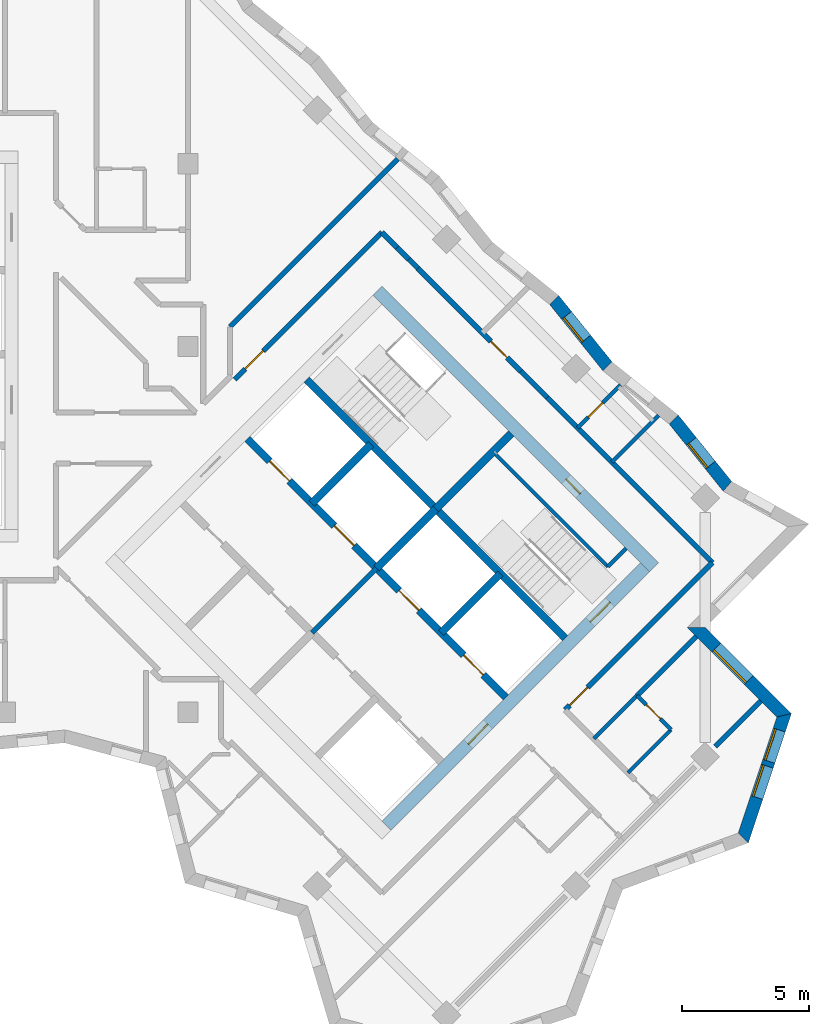
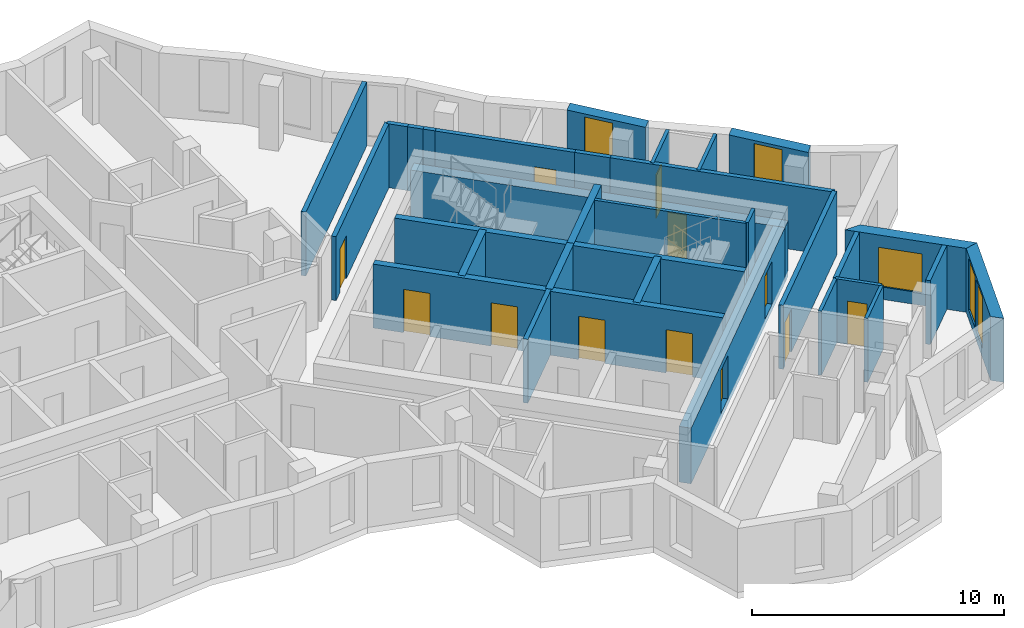
# One storey, part 8 of 11: 32 walls, 12 doors, 5 windows, 17 openings.
"""IFC4 building model written with IfcOpenShell, lengths in metres."""

from ifc_helpers import new_model, si_unit, direction, frame, frame_2d, origin, place, context, subcontext, project, spatial, polyline, rectangle, outline, extrude, material, layer, layer_set, type_object, element, fill, save


model = new_model("IFC4")

# Units and contexts
model_context = context("Model", 3, precision=1e-05, world=origin(), true_north=direction((0.0, 1.0)))
body_context = subcontext(model_context, "Body", "Model", "MODEL_VIEW")
ifc_project = project(units=[si_unit("LENGTHUNIT", "METRE"), si_unit("AREAUNIT", "SQUARE_METRE"), si_unit("VOLUMEUNIT", "CUBIC_METRE"), si_unit("PLANEANGLEUNIT", "RADIAN"), si_unit("MASSUNIT", "GRAM", prefix="KILO")], contexts=[model_context])

# Site, building, storey
site_placement = place(None, origin())
site = spatial("IfcSite", under=ifc_project, at=site_placement, CompositionType="ELEMENT")
building_placement = place(site_placement, origin())
building = spatial("IfcBuilding", under=site, at=building_placement, Name="Windrow Commons", CompositionType="ELEMENT")
storey_placement = place(building_placement, frame((0.0, 0.0, 196.4)))
storey = spatial("IfcBuildingStorey", under=building, at=storey_placement, Name="L53", CompositionType="ELEMENT", Elevation=196.4)

# Wall, openings, windows
ifc_material_1 = material(Name="Brick masonry, red clay brick", Category="masonry")
ifc_layer_1 = layer(ifc_material_1, 0.5)
ifc_layer_set_1 = layer_set([ifc_layer_1], Name="Brick facade wall 500")
wall_type_1 = type_object("IfcWallType", Name="Brick facade wall 500", PredefinedType="SOLIDWALL", material=ifc_layer_set_1)
wall_1_placement = place(storey_placement, frame((101.0624, 38.2515, 0.0), z_axis=(0.0, 0.0, 1.0), x_axis=(0.3162395484, 0.9486793705, 0.0)))
wall_1 = element("IfcWall", 1, at=wall_1_placement, inside=storey, type_object=wall_type_1, Name="Brick facade wall L53 4", PredefinedType="SOLIDWALL", context=body_context, shape_type="SweptSolid", body=[
    extrude(outline(polyline([(-0.1197, -0.25), (5.2468, -0.25), (4.9378, 0.25), (0.1197, 0.25), (-0.1197, -0.25)])), origin(), (0.0, 0.0, 1.0), 3.1),
])
opening_1_placement = place(wall_1_placement, frame((1.6796, 0.0, 0.45)))
opening_1 = element("IfcOpeningElement", 2, at=opening_1_placement, cuts=wall_1, Name="Opening W1Q", PredefinedType="OPENING", context=body_context, shape_type="SweptSolid", body=[
    extrude(rectangle(XDim=1.3, YDim=2.5, at=frame_2d((0.65, 1.25))), frame((0.0, 0.26, 0.0), z_axis=(0.0, -1.0, 0.0), x_axis=(1.0, 0.0, 0.0)), (0.0, 0.0, 1.0), 0.52),
])
opening_2_placement = place(wall_1_placement, frame((3.1796, 0.0, 0.45)))
opening_2 = element("IfcOpeningElement", 3, at=opening_2_placement, cuts=wall_1, Name="Opening W1Q", PredefinedType="OPENING", context=body_context, shape_type="SweptSolid", body=[
    extrude(rectangle(XDim=1.3, YDim=2.5, at=frame_2d((0.65, 1.25))), frame((0.0, 0.26, 0.0), z_axis=(0.0, -1.0, 0.0), x_axis=(1.0, 0.0, 0.0)), (0.0, 0.0, 1.0), 0.52),
])
ifc_material_2 = material(Name="Clear float glass in anodised aluminium frame", Category="aluminium")
window_type_1 = type_object("IfcWindowType", Name="Window W1Q pair 1300x2500", PartitioningType="SINGLE_PANEL", PredefinedType="WINDOW", material=ifc_material_2)
window_1_placement = place(opening_1_placement, origin())
window_1 = element("IfcWindow", 4, at=window_1_placement, inside=storey, type_object=window_type_1, Name="Window L53 4.1A", OverallHeight=2.5, OverallWidth=1.3, PartitioningType="SINGLE_PANEL", PredefinedType="WINDOW", context=body_context, shape_type="SweptSolid", body=[
    extrude(rectangle(XDim=1.3, YDim=2.5, at=frame_2d((0.65, 1.25))), frame((0.0, 0.18, 0.0), z_axis=(0.0, -1.0, 0.0), x_axis=(1.0, 0.0, 0.0)), (0.0, 0.0, 1.0), 0.06),
])
fill(opening_1, window_1)
window_2_placement = place(opening_2_placement, origin())
window_2 = element("IfcWindow", 5, at=window_2_placement, inside=storey, type_object=window_type_1, Name="Window L53 4.1B", OverallHeight=2.5, OverallWidth=1.3, PartitioningType="SINGLE_PANEL", PredefinedType="WINDOW", context=body_context, shape_type="SweptSolid", body=[
    extrude(rectangle(XDim=1.3, YDim=2.5, at=frame_2d((0.65, 1.25))), frame((0.0, 0.18, 0.0), z_axis=(0.0, -1.0, 0.0), x_axis=(1.0, 0.0, 0.0)), (0.0, 0.0, 1.0), 0.06),
])
fill(opening_2, window_2)

# Wall, opening, window
wall_2_placement = place(storey_placement, frame((102.6728, 43.0825, 0.0), z_axis=(0.0, 0.0, 1.0), x_axis=(-0.7071067812, 0.7071067812, 0.0)))
wall_2 = element("IfcWall", 6, at=wall_2_placement, inside=storey, type_object=wall_type_1, Name="Brick facade wall L53 5", PredefinedType="SOLIDWALL", context=body_context, shape_type="SweptSolid", body=[
    extrude(outline(polyline([(-0.1545, -0.25), (4.6455, -0.25), (5.1455, 0.25), (0.1545, 0.25), (-0.1545, -0.25)])), origin(), (0.0, 0.0, 1.0), 3.1),
])
opening_3_placement = place(wall_2_placement, frame((1.9705, 0.0, 0.6)))
opening_3 = element("IfcOpeningElement", 7, at=opening_3_placement, cuts=wall_2, Name="Opening W1L", PredefinedType="OPENING", context=body_context, shape_type="SweptSolid", body=[
    extrude(rectangle(XDim=1.8, YDim=1.9, at=frame_2d((0.9, 0.95))), frame((0.0, 0.26, 0.0), z_axis=(0.0, -1.0, 0.0), x_axis=(1.0, 0.0, 0.0)), (0.0, 0.0, 1.0), 0.52),
])
ifc_material_3 = material(Name="Clear float glass in anodised aluminium frame", Category="aluminium")
window_type_2 = type_object("IfcWindowType", Name="Window W1L bedroom 1800x1900", PartitioningType="SINGLE_PANEL", PredefinedType="WINDOW", material=ifc_material_3)
window_3_placement = place(opening_3_placement, origin())
window_3 = element("IfcWindow", 8, at=window_3_placement, inside=storey, type_object=window_type_2, Name="Window L53 5.1", OverallHeight=1.9, OverallWidth=1.8, PartitioningType="SINGLE_PANEL", PredefinedType="WINDOW", context=body_context, shape_type="SweptSolid", body=[
    extrude(rectangle(XDim=1.8, YDim=1.9, at=frame_2d((0.9, 0.95))), frame((0.0, 0.18, 0.0), z_axis=(0.0, -1.0, 0.0), x_axis=(1.0, 0.0, 0.0)), (0.0, 0.0, 1.0), 0.06),
])
fill(opening_3, window_3)

wall_3_placement = place(storey_placement, frame((100.4405, 52.0976, 0.0), z_axis=(0.0, 0.0, 1.0), x_axis=(-0.6267656926, 0.7792077814, 0.0)))
wall_3 = element("IfcWall", 9, at=wall_3_placement, inside=storey, type_object=wall_type_1, Name="Brick facade wall L53 8", PredefinedType="SOLIDWALL", context=body_context, shape_type="SweptSolid", body=[
    extrude(outline(polyline([(0.0492, -0.25), (3.3983, -0.25), (3.3441, 0.25), (-0.0492, 0.25), (0.0492, -0.25)])), origin(), (0.0, 0.0, 1.0), 3.1),
])
opening_4_placement = place(wall_3_placement, frame((1.072, 0.0, 0.45)))
opening_4 = element("IfcOpeningElement", 10, at=opening_4_placement, cuts=wall_3, Name="Opening W7E", PredefinedType="OPENING", context=body_context, shape_type="SweptSolid", body=[
    extrude(rectangle(XDim=1.2, YDim=2.5, at=frame_2d((0.6, 1.25))), frame((0.0, 0.26, 0.0), z_axis=(0.0, -1.0, 0.0), x_axis=(1.0, 0.0, 0.0)), (0.0, 0.0, 1.0), 0.52),
])
ifc_material_4 = material(Name="Clear float glass in anodised aluminium frame", Category="aluminium")
window_type_3 = type_object("IfcWindowType", Name="Window W7 notch 1200x2500", PartitioningType="SINGLE_PANEL", PredefinedType="WINDOW", material=ifc_material_4)
window_4_placement = place(opening_4_placement, origin())
window_4 = element("IfcWindow", 11, at=window_4_placement, inside=storey, type_object=window_type_3, Name="Window L53 8.1", OverallHeight=2.5, OverallWidth=1.2, PartitioningType="SINGLE_PANEL", PredefinedType="WINDOW", context=body_context, shape_type="SweptSolid", body=[
    extrude(rectangle(XDim=1.2, YDim=2.5, at=frame_2d((0.6, 1.25))), frame((0.0, 0.18, 0.0), z_axis=(0.0, -1.0, 0.0), x_axis=(1.0, 0.0, 0.0)), (0.0, 0.0, 1.0), 0.06),
])
fill(opening_4, window_4)

wall_4_placement = place(storey_placement, frame((95.718, 56.8234, 0.0), z_axis=(0.0, 0.0, 1.0), x_axis=(-0.6267539152, 0.7792172545, 0.0)))
wall_4 = element("IfcWall", 12, at=wall_4_placement, inside=storey, type_object=wall_type_1, Name="Brick facade wall L53 10", PredefinedType="SOLIDWALL", context=body_context, shape_type="SweptSolid", body=[
    extrude(outline(polyline([(0.0271, -0.25), (3.3761, -0.25), (3.3219, 0.25), (-0.0271, 0.25), (0.0271, -0.25)])), origin(), (0.0, 0.0, 1.0), 3.1),
])
opening_5_placement = place(wall_4_placement, frame((1.3691, 0.0, 0.45)))
opening_5 = element("IfcOpeningElement", 13, at=opening_5_placement, cuts=wall_4, Name="Opening W7E", PredefinedType="OPENING", context=body_context, shape_type="SweptSolid", body=[
    extrude(rectangle(XDim=1.2, YDim=2.5, at=frame_2d((0.6, 1.25))), frame((0.0, 0.26, 0.0), z_axis=(0.0, -1.0, 0.0), x_axis=(1.0, 0.0, 0.0)), (0.0, 0.0, 1.0), 0.52),
])
window_5_placement = place(opening_5_placement, origin())
window_5 = element("IfcWindow", 14, at=window_5_placement, inside=storey, type_object=window_type_3, Name="Window L53 10.1", OverallHeight=2.5, OverallWidth=1.2, PartitioningType="SINGLE_PANEL", PredefinedType="WINDOW", context=body_context, shape_type="SweptSolid", body=[
    extrude(rectangle(XDim=1.2, YDim=2.5, at=frame_2d((0.6, 1.25))), frame((0.0, 0.18, 0.0), z_axis=(0.0, -1.0, 0.0), x_axis=(1.0, 0.0, 0.0)), (0.0, 0.0, 1.0), 0.06),
])
fill(opening_5, window_5)

# Walls
ifc_material_5 = material(Name="Blockwork partition", Category="masonry")
ifc_layer_2 = layer(ifc_material_5, 0.2)
ifc_layer_set_2 = layer_set([ifc_layer_2], Name="Fire lobby partition 200")
wall_type_2 = type_object("IfcWallType", Name="Fire lobby partition 200", PredefinedType="PARTITIONING", material=ifc_layer_set_2)
wall_5_placement = place(storey_placement, frame((84.079, 46.332, 0.0), z_axis=(0.0, 0.0, 1.0), x_axis=(0.7071067812, 0.7071067812, 0.0)))
element("IfcWall", 15, at=wall_5_placement, inside=storey, type_object=wall_type_2, Name="W-core-lobby-B-L53", PredefinedType="PARTITIONING", context=body_context, shape_type="SweptSolid", body=[
    extrude(rectangle(XDim=3.6, YDim=0.2, at=frame_2d((1.8, 0.0))), origin(), (0.0, 0.0, 1.0), 3.1),
])
ifc_material_6 = material(Name="Blockwork partition", Category="masonry")
ifc_layer_3 = layer(ifc_material_6, 0.2)
ifc_layer_set_3 = layer_set([ifc_layer_3], Name="IW-CORRIDOR-200")
wall_type_3 = type_object("IfcWallType", Name="IW-CORRIDOR-200", PredefinedType="PARTITIONING", material=ifc_layer_set_3)
wall_6_placement = place(storey_placement, frame((93.3455, 55.5995, 0.0), z_axis=(0.0, 0.0, 1.0), x_axis=(0.7071067812, -0.7071067812, 0.0)))
element("IfcWall", 16, at=wall_6_placement, inside=storey, type_object=wall_type_3, Name="W-L53-W007", PredefinedType="PARTITIONING", context=body_context, shape_type="SweptSolid", body=[
    extrude(rectangle(XDim=9.2009, YDim=0.2, at=frame_2d((4.6005, 0.0))), origin(), (0.0, 0.0, 1.0), 3.1),
])

# Wall, opening, door
wall_7_placement = place(storey_placement, frame((94.0491, 43.2929, 0.0), z_axis=(0.0, 0.0, 1.0), x_axis=(0.7071067812, 0.7071067812, 0.0)))
wall_7 = element("IfcWall", 17, at=wall_7_placement, inside=storey, type_object=wall_type_3, Name="W-L53-W008", PredefinedType="PARTITIONING", context=body_context, shape_type="SweptSolid", body=[
    extrude(rectangle(XDim=8.1996, YDim=0.2, at=frame_2d((4.0998, 0.0))), origin(), (0.0, 0.0, 1.0), 3.1),
])
opening_6_placement = place(wall_7_placement, frame((0.2523, 0.0, 0.0)))
opening_6 = element("IfcOpeningElement", 18, at=opening_6_placement, cuts=wall_7, Name="Opening D310F", PredefinedType="OPENING", context=body_context, shape_type="SweptSolid", body=[
    extrude(rectangle(XDim=1.0, YDim=2.1, at=frame_2d((0.5, 1.05))), frame((0.0, 0.11, 0.0), z_axis=(0.0, -1.0, 0.0), x_axis=(1.0, 0.0, 0.0)), (0.0, 0.0, 1.0), 0.22),
])
ifc_material_7 = material(Name="Timber door leaf", Category="wood")
door_type_1 = type_object("IfcDoorType", Name="DT-AMENITY-1000", OperationType="SINGLE_SWING_LEFT", PredefinedType="DOOR", material=ifc_material_7)
door_1_placement = place(opening_6_placement, origin())
door_1 = element("IfcDoor", 19, at=door_1_placement, inside=storey, type_object=door_type_1, Name="D-L53-D033", OperationType="SINGLE_SWING_RIGHT", OverallHeight=2.1, OverallWidth=1.0, PredefinedType="DOOR", context=body_context, shape_type="SweptSolid", body=[
    extrude(rectangle(XDim=1.0, YDim=2.1, at=frame_2d((0.5, 1.05))), frame((0.0, 0.025, 0.0), z_axis=(0.0, -1.0, 0.0), x_axis=(1.0, 0.0, 0.0)), (0.0, 0.0, 1.0), 0.05),
])
fill(opening_6, door_1)

wall_8_placement = place(storey_placement, frame((81.0373, 56.3027, 0.0), z_axis=(0.0, 0.0, 1.0), x_axis=(0.7071067812, 0.7071067812, 0.0)))
wall_8 = element("IfcWall", 20, at=wall_8_placement, inside=storey, type_object=wall_type_3, Name="W-L53-W010", PredefinedType="PARTITIONING", context=body_context, shape_type="SweptSolid", body=[
    extrude(rectangle(XDim=8.1996, YDim=0.2, at=frame_2d((4.0998, 0.0))), origin(), (0.0, 0.0, 1.0), 3.1),
])
opening_7_placement = place(wall_8_placement, frame((0.5924, 0.0, 0.0)))
opening_7 = element("IfcOpeningElement", 21, at=opening_7_placement, cuts=wall_8, Name="Opening D310F", PredefinedType="OPENING", context=body_context, shape_type="SweptSolid", body=[
    extrude(rectangle(XDim=1.0, YDim=2.1, at=frame_2d((0.5, 1.05))), frame((0.0, 0.11, 0.0), z_axis=(0.0, -1.0, 0.0), x_axis=(1.0, 0.0, 0.0)), (0.0, 0.0, 1.0), 0.22),
])
door_2_placement = place(opening_7_placement, origin())
door_2 = element("IfcDoor", 22, at=door_2_placement, inside=storey, type_object=door_type_1, Name="D-L53-D032", OperationType="SINGLE_SWING_RIGHT", OverallHeight=2.1, OverallWidth=1.0, PredefinedType="DOOR", context=body_context, shape_type="SweptSolid", body=[
    extrude(rectangle(XDim=1.0, YDim=2.1, at=frame_2d((0.5, 1.05))), frame((0.0, 0.025, 0.0), z_axis=(0.0, -1.0, 0.0), x_axis=(1.0, 0.0, 0.0)), (0.0, 0.0, 1.0), 0.05),
])
fill(opening_7, door_2)

wall_9_placement = place(storey_placement, frame((88.2474, 60.6834, 0.0), z_axis=(0.0, 0.0, 1.0), x_axis=(0.7071067812, -0.7071067812, 0.0)))
wall_9 = element("IfcWall", 23, at=wall_9_placement, inside=storey, type_object=wall_type_3, Name="W-L53-W029", PredefinedType="PARTITIONING", context=body_context, shape_type="SweptSolid", body=[
    extrude(rectangle(XDim=5.7417, YDim=0.2, at=frame_2d((2.8708, 0.0))), origin(), (0.0, 0.0, 1.0), 3.1),
])
opening_8_placement = place(wall_9_placement, frame((4.0693, 0.0, 0.0)))
opening_8 = element("IfcOpeningElement", 24, at=opening_8_placement, cuts=wall_9, Name="Opening D109S", PredefinedType="OPENING", context=body_context, shape_type="SweptSolid", body=[
    extrude(rectangle(XDim=0.9, YDim=2.1, at=frame_2d((0.45, 1.05))), frame((0.0, 0.11, 0.0), z_axis=(0.0, -1.0, 0.0), x_axis=(1.0, 0.0, 0.0)), (0.0, 0.0, 1.0), 0.22),
])
ifc_material_8 = material(Name="Timber door leaf", Category="wood")
door_type_2 = type_object("IfcDoorType", Name="DT-BEDROOM-900", OperationType="SINGLE_SWING_LEFT", PredefinedType="DOOR", material=ifc_material_8)
door_3_placement = place(opening_8_placement, origin())
door_3 = element("IfcDoor", 25, at=door_3_placement, inside=storey, type_object=door_type_2, Name="D-L53-D034", OperationType="SINGLE_SWING_RIGHT", OverallHeight=2.1, OverallWidth=0.9, PredefinedType="DOOR", context=body_context, shape_type="SweptSolid", body=[
    extrude(rectangle(XDim=0.9, YDim=2.1, at=frame_2d((0.45, 1.05))), frame((0.0, 0.025, 0.0), z_axis=(0.0, -1.0, 0.0), x_axis=(1.0, 0.0, 0.0)), (0.0, 0.0, 1.0), 0.05),
])
fill(opening_8, door_3)

# Walls
wall_10_placement = place(storey_placement, frame((92.3106, 56.6266, 0.0), z_axis=(0.0, 0.0, 1.0), x_axis=(0.7077922938, -0.7064206033, 0.0)))
element("IfcWall", 26, at=wall_10_placement, inside=storey, type_object=wall_type_3, Name="W-L53-W118", PredefinedType="PARTITIONING", context=body_context, shape_type="SweptSolid", body=[
    extrude(rectangle(XDim=1.4581, YDim=0.2, at=frame_2d((0.729, 0.0))), origin(), (0.0, 0.0, 1.0), 3.1),
])
wall_11_placement = place(storey_placement, frame((86.8353, 62.0973, 0.0), z_axis=(0.0, 0.0, 1.0), x_axis=(0.7059370453, -0.7082745852, 0.0)))
element("IfcWall", 27, at=wall_11_placement, inside=storey, type_object=wall_type_3, Name="W-L53-W126", PredefinedType="PARTITIONING", context=body_context, shape_type="SweptSolid", body=[
    extrude(rectangle(XDim=0.8556, YDim=0.2, at=frame_2d((0.4278, 0.0))), origin(), (0.0, 0.0, 1.0), 3.1),
])
wall_12_placement = place(storey_placement, frame((87.4398, 61.4918, 0.0), z_axis=(0.0, 0.0, 1.0), x_axis=(0.7086591505, -0.7055509963, 0.0)))
element("IfcWall", 28, at=wall_12_placement, inside=storey, type_object=wall_type_3, Name="W-L53-W128", PredefinedType="PARTITIONING", context=body_context, shape_type="SweptSolid", body=[
    extrude(rectangle(XDim=0.6435, YDim=0.2, at=frame_2d((0.3217, 0.0))), origin(), (0.0, 0.0, 1.0), 3.1),
])
wall_13_placement = place(storey_placement, frame((87.8991, 61.0411, 0.0), z_axis=(0.0, 0.0, 1.0), x_axis=(0.7051008166, -0.7091070712, 0.0)))
element("IfcWall", 29, at=wall_13_placement, inside=storey, type_object=wall_type_3, Name="W-L53-W134", PredefinedType="PARTITIONING", context=body_context, shape_type="SweptSolid", body=[
    extrude(rectangle(XDim=0.4992, YDim=0.2, at=frame_2d((0.2496, 0.0))), origin(), (0.0, 0.0, 1.0), 3.1),
])
ifc_material_9 = material(Name="Blockwork partition", Category="masonry")
ifc_layer_4 = layer(ifc_material_9, 0.15)
ifc_layer_set_4 = layer_set([ifc_layer_4], Name="IW-ENSUITE-150")
wall_type_4 = type_object("IfcWallType", Name="IW-ENSUITE-150", PredefinedType="PARTITIONING", material=ifc_layer_set_4)
wall_14_placement = place(storey_placement, frame((95.8873, 53.0507, 0.0), z_axis=(0.0, 0.0, 1.0), x_axis=(0.7070875415, 0.7071260204, 0.0)))
element("IfcWall", 30, at=wall_14_placement, inside=storey, type_object=wall_type_4, Name="W-L53-W059", PredefinedType="PARTITIONING", context=body_context, shape_type="SweptSolid", body=[
    extrude(rectangle(XDim=2.5988, YDim=0.15, at=frame_2d((1.2994, 0.0))), origin(), (0.0, 0.0, 1.0), 3.1),
])
for number, where, z_axis, x_axis, name in (
    (31, (96.5229, 40.8171, 0.0), (0.0, 0.0, 1.0), (0.7071067812, 0.7071067812, 0.0), "W-L53-W062"),
    (32, (95.1794, 42.1606, 0.0), (0.0, 0.0, 1.0), (0.7071067812, 0.7071067812, 0.0), "W-L53-W063"),
):
    element("IfcWall", number, at=place(storey_placement, frame(where, z_axis=z_axis, x_axis=x_axis)), inside=storey, type_object=wall_type_4, Name=name, PredefinedType="PARTITIONING", context=body_context, shape_type="SweptSolid", body=[
        extrude(rectangle(XDim=2.4013, YDim=0.15, at=frame_2d((1.2006, 0.0))), origin(), (0.0, 0.0, 1.0), 3.1),
    ])

# Wall, opening, door
wall_15_placement = place(storey_placement, frame((94.5438, 54.3942, 0.0), z_axis=(0.0, 0.0, 1.0), x_axis=(0.7070858847, 0.7071276771, 0.0)))
wall_15 = element("IfcWall", 33, at=wall_15_placement, inside=storey, type_object=wall_type_4, Name="W-L53-W083", PredefinedType="PARTITIONING", context=body_context, shape_type="SweptSolid", body=[
    extrude(rectangle(XDim=2.3928, YDim=0.15, at=frame_2d((1.1964, 0.0))), origin(), (0.0, 0.0, 1.0), 3.1),
])
opening_9_placement = place(wall_15_placement, frame((0.5941, 0.0, 0.0)))
opening_9 = element("IfcOpeningElement", 34, at=opening_9_placement, cuts=wall_15, Name="Opening D208N", PredefinedType="OPENING", context=body_context, shape_type="SweptSolid", body=[
    extrude(rectangle(XDim=0.8, YDim=2.1, at=frame_2d((0.4, 1.05))), frame((0.0, 0.085, 0.0), z_axis=(0.0, -1.0, 0.0), x_axis=(1.0, 0.0, 0.0)), (0.0, 0.0, 1.0), 0.17),
])
ifc_material_10 = material(Name="Timber door leaf", Category="wood")
door_type_3 = type_object("IfcDoorType", Name="DT-ENSUITE-800", OperationType="SINGLE_SWING_LEFT", PredefinedType="DOOR", material=ifc_material_10)
door_4_placement = place(opening_9_placement, origin())
door_4 = element("IfcDoor", 35, at=door_4_placement, inside=storey, type_object=door_type_3, Name="D-L53-D035", OperationType="SINGLE_SWING_RIGHT", OverallHeight=2.1, OverallWidth=0.8, PredefinedType="DOOR", context=body_context, shape_type="SweptSolid", body=[
    extrude(rectangle(XDim=0.8, YDim=2.1, at=frame_2d((0.4, 1.05))), frame((0.0, 0.025, 0.0), z_axis=(0.0, -1.0, 0.0), x_axis=(1.0, 0.0, 0.0)), (0.0, 0.0, 1.0), 0.05),
])
fill(opening_9, door_4)

wall_16_placement = place(storey_placement, frame((96.8813, 43.8613, 0.0), z_axis=(0.0, 0.0, 1.0), x_axis=(0.7071067812, -0.7071067812, 0.0)))
wall_16 = element("IfcWall", 36, at=wall_16_placement, inside=storey, type_object=wall_type_4, Name="W-L53-W103", PredefinedType="PARTITIONING", context=body_context, shape_type="SweptSolid", body=[
    extrude(rectangle(XDim=1.9007, YDim=0.15, at=frame_2d((0.9504, 0.0))), origin(), (0.0, 0.0, 1.0), 3.1),
])
opening_10_placement = place(wall_16_placement, frame((0.5053, 0.0, 0.0)))
opening_10 = element("IfcOpeningElement", 37, at=opening_10_placement, cuts=wall_16, Name="Opening D208N", PredefinedType="OPENING", context=body_context, shape_type="SweptSolid", body=[
    extrude(rectangle(XDim=0.8, YDim=2.1, at=frame_2d((0.4, 1.05))), frame((0.0, 0.085, 0.0), z_axis=(0.0, -1.0, 0.0), x_axis=(1.0, 0.0, 0.0)), (0.0, 0.0, 1.0), 0.17),
])
door_5_placement = place(opening_10_placement, origin())
door_5 = element("IfcDoor", 38, at=door_5_placement, inside=storey, type_object=door_type_3, Name="D-L53-D042", OperationType="SINGLE_SWING_RIGHT", OverallHeight=2.1, OverallWidth=0.8, PredefinedType="DOOR", context=body_context, shape_type="SweptSolid", body=[
    extrude(rectangle(XDim=0.8, YDim=2.1, at=frame_2d((0.4, 1.05))), frame((0.0, 0.025, 0.0), z_axis=(0.0, -1.0, 0.0), x_axis=(1.0, 0.0, 0.0)), (0.0, 0.0, 1.0), 0.05),
])
fill(opening_10, door_5)

# Walls
ifc_material_11 = material(Name="Blockwork partition", Category="masonry")
ifc_layer_5 = layer(ifc_material_11, 0.2)
ifc_layer_set_5 = layer_set([ifc_layer_5], Name="IW-PARTY-200")
wall_type_5 = type_object("IfcWallType", Name="IW-PARTY-200", PredefinedType="PARTITIONING", material=ifc_layer_set_5)
wall_17_placement = place(storey_placement, frame((80.8489, 58.3771, 0.0), z_axis=(0.0, 0.0, 1.0), x_axis=(0.7071121294, 0.7071014329, 0.0)))
element("IfcWall", 39, at=wall_17_placement, inside=storey, type_object=wall_type_5, Name="W-L53-W006", PredefinedType="PARTITIONING", context=body_context, shape_type="SweptSolid", body=[
    extrude(rectangle(XDim=9.3489, YDim=0.2, at=frame_2d((4.6745, 0.0))), origin(), (0.0, 0.0, 1.0), 3.1),
])
wall_18_placement = place(storey_placement, frame((96.8801, 43.8559, 0.0), z_axis=(0.0, 0.0, 1.0), x_axis=(0.7074098182, 0.7068036142, 0.0)))
element("IfcWall", 40, at=wall_18_placement, inside=storey, type_object=wall_type_5, Name="W-L53-W053", PredefinedType="PARTITIONING", context=body_context, shape_type="SweptSolid", body=[
    extrude(rectangle(XDim=3.2992, YDim=0.2, at=frame_2d((1.6496, 0.0))), origin(), (0.0, 0.0, 1.0), 3.1),
])
wall_19_placement = place(storey_placement, frame((99.964, 41.854, 0.0), z_axis=(0.0, 0.0, 1.0), x_axis=(0.7071265121, 0.7070870497, 0.0)))
element("IfcWall", 41, at=wall_19_placement, inside=storey, type_object=wall_type_5, Name="W-L53-W061", PredefinedType="PARTITIONING", context=body_context, shape_type="SweptSolid", body=[
    extrude(rectangle(XDim=2.5341, YDim=0.2, at=frame_2d((1.2671, 0.0))), origin(), (0.0, 0.0, 1.0), 3.1),
])

# Wall, opening, door
ifc_material_12 = material(Name="Concrete C40/50", Category="concrete")
ifc_layer_6 = layer(ifc_material_12, 0.5)
ifc_layer_set_6 = layer_set([ifc_layer_6], Name="RC CORE WALL 500 C40/50")
wall_type_6 = type_object("IfcWallType", Name="RC CORE WALL 500 C40/50", PredefinedType="SHEAR", material=ifc_layer_set_6)
wall_20_placement = place(storey_placement, frame((86.66, 59.8024, -0.3), z_axis=(0.0, 0.0, 1.0), x_axis=(0.7071067812, -0.7071067812, 0.0)))
wall_20 = element("IfcWall", 42, at=wall_20_placement, inside=storey, type_object=wall_type_6, Name="Core B wall outer-N", PredefinedType="SHEAR", context=body_context, shape_type="SweptSolid", body=[
    extrude(rectangle(XDim=15.3999, YDim=0.5, at=frame_2d((7.7, 0.0))), origin(), (0.0, 0.0, 1.0), 2.7),
])
opening_11_placement = place(wall_20_placement, frame((10.5, 0.0, 0.3)))
opening_11 = element("IfcOpeningElement", 43, at=opening_11_placement, cuts=wall_20, Name="Opening D9", PredefinedType="OPENING", context=body_context, shape_type="SweptSolid", body=[
    extrude(rectangle(XDim=0.8, YDim=2.1, at=frame_2d((0.4, 1.05))), frame((0.0, 0.26, 0.0), z_axis=(0.0, -1.0, 0.0), x_axis=(1.0, 0.0, 0.0)), (0.0, 0.0, 1.0), 0.52),
])
ifc_material_13 = material(Name="Steel fire door leaf", Category="steel")
door_type_4 = type_object("IfcDoorType", Name="Riser access door 800", OperationType="SINGLE_SWING_LEFT", PredefinedType="DOOR", material=ifc_material_13)
door_6_placement = place(opening_11_placement, origin())
door_6 = element("IfcDoor", 44, at=door_6_placement, inside=storey, type_object=door_type_4, Name="Riser access door", OperationType="SINGLE_SWING_RIGHT", OverallHeight=2.1, OverallWidth=0.8, PredefinedType="DOOR", context=body_context, shape_type="SweptSolid", body=[
    extrude(rectangle(XDim=0.8, YDim=2.1, at=frame_2d((0.4, 1.05))), frame((0.0, 0.025, 0.0), z_axis=(0.0, -1.0, 0.0), x_axis=(1.0, 0.0, 0.0)), (0.0, 0.0, 1.0), 0.05),
])
fill(opening_11, door_6)

# Wall, openings, doors
wall_21_placement = place(storey_placement, frame((87.0135, 38.7306, -0.3), z_axis=(0.0, 0.0, 1.0), x_axis=(0.7071067812, 0.7071067812, 0.0)))
wall_21 = element("IfcWall", 45, at=wall_21_placement, inside=storey, type_object=wall_type_6, Name="Core B wall outer-E", PredefinedType="SHEAR", context=body_context, shape_type="SweptSolid", body=[
    extrude(rectangle(XDim=14.4001, YDim=0.5, at=frame_2d((7.2001, 0.0))), origin(), (0.0, 0.0, 1.0), 2.7),
])
opening_12_placement = place(wall_21_placement, frame((4.55, 0.0, 0.3)))
opening_12 = element("IfcOpeningElement", 46, at=opening_12_placement, cuts=wall_21, Name="Opening D6", PredefinedType="OPENING", context=body_context, shape_type="SweptSolid", body=[
    extrude(rectangle(XDim=1.1, YDim=2.1, at=frame_2d((0.55, 1.05))), frame((0.0, 0.26, 0.0), z_axis=(0.0, -1.0, 0.0), x_axis=(1.0, 0.0, 0.0)), (0.0, 0.0, 1.0), 0.52),
])
opening_13_placement = place(wall_21_placement, frame((11.35, 0.0, 0.3)))
opening_13 = element("IfcOpeningElement", 47, at=opening_13_placement, cuts=wall_21, Name="Opening D7", PredefinedType="OPENING", context=body_context, shape_type="SweptSolid", body=[
    extrude(rectangle(XDim=1.1, YDim=2.1, at=frame_2d((0.55, 1.05))), frame((0.0, 0.26, 0.0), z_axis=(0.0, -1.0, 0.0), x_axis=(1.0, 0.0, 0.0)), (0.0, 0.0, 1.0), 0.52),
])
ifc_material_14 = material(Name="Steel fire door leaf", Category="steel")
door_type_5 = type_object("IfcDoorType", Name="Core lobby door 1100", OperationType="SINGLE_SWING_LEFT", PredefinedType="DOOR", material=ifc_material_14)
door_7_placement = place(opening_12_placement, origin())
door_7 = element("IfcDoor", 48, at=door_7_placement, inside=storey, type_object=door_type_5, Name="Lift lobby door", OperationType="DOUBLE_DOOR_SINGLE_SWING", OverallHeight=2.1, OverallWidth=1.1, PredefinedType="DOOR", context=body_context, shape_type="SweptSolid", body=[
    extrude(rectangle(XDim=1.1, YDim=2.1, at=frame_2d((0.55, 1.05))), frame((0.0, 0.025, 0.0), z_axis=(0.0, -1.0, 0.0), x_axis=(1.0, 0.0, 0.0)), (0.0, 0.0, 1.0), 0.05),
])
fill(opening_12, door_7)
ifc_material_15 = material(Name="Steel fire door leaf", Category="steel")
door_type_6 = type_object("IfcDoorType", Name="Stair door 1100", OperationType="SINGLE_SWING_LEFT", PredefinedType="DOOR", material=ifc_material_15)
door_8_placement = place(opening_13_placement, origin())
door_8 = element("IfcDoor", 49, at=door_8_placement, inside=storey, type_object=door_type_6, Name="Stair door", OperationType="SINGLE_SWING_RIGHT", OverallHeight=2.1, OverallWidth=1.1, PredefinedType="DOOR", context=body_context, shape_type="SweptSolid", body=[
    extrude(rectangle(XDim=1.1, YDim=2.1, at=frame_2d((0.55, 1.05))), frame((0.0, 0.025, 0.0), z_axis=(0.0, -1.0, 0.0), x_axis=(1.0, 0.0, 0.0)), (0.0, 0.0, 1.0), 0.05),
])
fill(opening_13, door_8)

# Walls
ifc_material_16 = material(Name="Concrete C40/50", Category="concrete")
ifc_layer_7 = layer(ifc_material_16, 0.3)
ifc_layer_set_7 = layer_set([ifc_layer_7], Name="RC SHAFT WALL 300 C40/50")
wall_type_7 = type_object("IfcWallType", Name="RC SHAFT WALL 300 C40/50", PredefinedType="SOLIDWALL", material=ifc_layer_set_7)
wall_22_placement = place(storey_placement, frame((84.079, 51.4232, 0.0), z_axis=(0.0, 0.0, 1.0), x_axis=(0.7071219326, 0.7070916295, 0.0)))
element("IfcWall", 50, at=wall_22_placement, inside=storey, type_object=wall_type_7, Name="Core B wall shaft-N1", PredefinedType="SOLIDWALL", context=body_context, shape_type="SweptSolid", body=[
    extrude(rectangle(XDim=3.3, YDim=0.3, at=frame_2d((1.65, 0.0))), origin(), (0.0, 0.0, 1.0), 3.1),
])
for number, where, z_axis, x_axis, name in (
    (51, (86.6246, 48.8776, 0.0), (0.0, 0.0, 1.0), (0.7071067812, 0.7071067812, 0.0), "Core B wall shaft-N2"),
    (52, (89.1702, 46.332, 0.0), (0.0, 0.0, 1.0), (0.7071067812, 0.7071067812, 0.0), "Core B wall shaft-N3"),
):
    element("IfcWall", number, at=place(storey_placement, frame(where, z_axis=z_axis, x_axis=x_axis)), inside=storey, type_object=wall_type_7, Name=name, PredefinedType="SOLIDWALL", context=body_context, shape_type="SweptSolid", body=[
        extrude(rectangle(XDim=3.3001, YDim=0.3, at=frame_2d((1.6501, 0.0))), origin(), (0.0, 0.0, 1.0), 3.1),
    ])

# Wall, openings, doors
wall_23_placement = place(storey_placement, frame((81.5335, 53.9688, 0.0), z_axis=(0.0, 0.0, 1.0), x_axis=(0.707103309, -0.7071102534, 0.0)))
wall_23 = element("IfcWall", 53, at=wall_23_placement, inside=storey, type_object=wall_type_7, Name="Core B wall lobby-N", PredefinedType="SOLIDWALL", context=body_context, shape_type="SweptSolid", body=[
    extrude(rectangle(XDim=14.4, YDim=0.3, at=frame_2d((7.2, 0.0))), origin(), (0.0, 0.0, 1.0), 3.1),
])
opening_14_placement = place(wall_23_placement, frame((1.25, 0.0, 0.0)))
opening_14 = element("IfcOpeningElement", 54, at=opening_14_placement, cuts=wall_23, Name="Opening LD", PredefinedType="OPENING", context=body_context, shape_type="SweptSolid", body=[
    extrude(rectangle(XDim=1.1, YDim=2.1, at=frame_2d((0.55, 1.05))), frame((0.0, 0.16, 0.0), z_axis=(0.0, -1.0, 0.0), x_axis=(1.0, 0.0, 0.0)), (0.0, 0.0, 1.0), 0.32),
])
opening_15_placement = place(wall_23_placement, frame((4.85, 0.0, 0.0)))
opening_15 = element("IfcOpeningElement", 55, at=opening_15_placement, cuts=wall_23, Name="Opening LD", PredefinedType="OPENING", context=body_context, shape_type="SweptSolid", body=[
    extrude(rectangle(XDim=1.1, YDim=2.1, at=frame_2d((0.55, 1.05))), frame((0.0, 0.16, 0.0), z_axis=(0.0, -1.0, 0.0), x_axis=(1.0, 0.0, 0.0)), (0.0, 0.0, 1.0), 0.32),
])
opening_16_placement = place(wall_23_placement, frame((8.45, 0.0, 0.0)))
opening_16 = element("IfcOpeningElement", 56, at=opening_16_placement, cuts=wall_23, Name="Opening LD", PredefinedType="OPENING", context=body_context, shape_type="SweptSolid", body=[
    extrude(rectangle(XDim=1.1, YDim=2.1, at=frame_2d((0.55, 1.05))), frame((0.0, 0.16, 0.0), z_axis=(0.0, -1.0, 0.0), x_axis=(1.0, 0.0, 0.0)), (0.0, 0.0, 1.0), 0.32),
])
opening_17_placement = place(wall_23_placement, frame((12.05, 0.0, 0.0)))
opening_17 = element("IfcOpeningElement", 57, at=opening_17_placement, cuts=wall_23, Name="Opening LD", PredefinedType="OPENING", context=body_context, shape_type="SweptSolid", body=[
    extrude(rectangle(XDim=1.1, YDim=2.1, at=frame_2d((0.55, 1.05))), frame((0.0, 0.16, 0.0), z_axis=(0.0, -1.0, 0.0), x_axis=(1.0, 0.0, 0.0)), (0.0, 0.0, 1.0), 0.32),
])
ifc_material_17 = material(Name="Stainless steel door leaf", Category="steel")
door_type_7 = type_object("IfcDoorType", Name="Lift landing door 1100", OperationType="SLIDING_TO_LEFT", PredefinedType="DOOR", material=ifc_material_17)
door_9_placement = place(opening_14_placement, origin())
door_9 = element("IfcDoor", 58, at=door_9_placement, inside=storey, type_object=door_type_7, Name="Lift landing door", OperationType="SLIDING_TO_LEFT", OverallHeight=2.1, OverallWidth=1.1, PredefinedType="DOOR", context=body_context, shape_type="SweptSolid", body=[
    extrude(rectangle(XDim=1.1, YDim=2.1, at=frame_2d((0.55, 1.05))), frame((0.0, 0.025, 0.0), z_axis=(0.0, -1.0, 0.0), x_axis=(1.0, 0.0, 0.0)), (0.0, 0.0, 1.0), 0.05),
])
fill(opening_14, door_9)
door_10_placement = place(opening_15_placement, origin())
door_10 = element("IfcDoor", 59, at=door_10_placement, inside=storey, type_object=door_type_7, Name="Lift landing door", OperationType="SLIDING_TO_RIGHT", OverallHeight=2.1, OverallWidth=1.1, PredefinedType="DOOR", context=body_context, shape_type="SweptSolid", body=[
    extrude(rectangle(XDim=1.1, YDim=2.1, at=frame_2d((0.55, 1.05))), frame((0.0, 0.025, 0.0), z_axis=(0.0, -1.0, 0.0), x_axis=(1.0, 0.0, 0.0)), (0.0, 0.0, 1.0), 0.05),
])
fill(opening_15, door_10)
door_11_placement = place(opening_16_placement, origin())
door_11 = element("IfcDoor", 60, at=door_11_placement, inside=storey, type_object=door_type_7, Name="Lift landing door", OperationType="SLIDING_TO_LEFT", OverallHeight=2.1, OverallWidth=1.1, PredefinedType="DOOR", context=body_context, shape_type="SweptSolid", body=[
    extrude(rectangle(XDim=1.1, YDim=2.1, at=frame_2d((0.55, 1.05))), frame((0.0, 0.025, 0.0), z_axis=(0.0, -1.0, 0.0), x_axis=(1.0, 0.0, 0.0)), (0.0, 0.0, 1.0), 0.05),
])
fill(opening_16, door_11)
door_12_placement = place(opening_17_placement, origin())
door_12 = element("IfcDoor", 61, at=door_12_placement, inside=storey, type_object=door_type_7, Name="Lift landing door", OperationType="SLIDING_TO_RIGHT", OverallHeight=2.1, OverallWidth=1.1, PredefinedType="DOOR", context=body_context, shape_type="SweptSolid", body=[
    extrude(rectangle(XDim=1.1, YDim=2.1, at=frame_2d((0.55, 1.05))), frame((0.0, 0.025, 0.0), z_axis=(0.0, -1.0, 0.0), x_axis=(1.0, 0.0, 0.0)), (0.0, 0.0, 1.0), 0.05),
])
fill(opening_17, door_12)

# Walls
for number, where, z_axis, x_axis, name in (
    (62, (83.8669, 56.3022, 0.0), (0.0, 0.0, 1.0), (0.7071137256, -0.7070998367, 0.0), "Core B wall stair-S"),
    (63, (88.9581, 51.2111, 0.0), (0.0, 0.0, 1.0), (0.7070998367, -0.7071137256, 0.0), "Core B wall stair-S2"),
):
    element("IfcWall", number, at=place(storey_placement, frame(where, z_axis=z_axis, x_axis=x_axis)), inside=storey, type_object=wall_type_7, Name=name, PredefinedType="SOLIDWALL", context=body_context, shape_type="SweptSolid", body=[
        extrude(rectangle(XDim=7.2, YDim=0.3, at=frame_2d((3.6, 0.0))), origin(), (0.0, 0.0, 1.0), 3.1),
    ])
wall_24_placement = place(storey_placement, frame((88.9581, 51.2111, 0.0), z_axis=(0.0, 0.0, 1.0), x_axis=(0.7071067812, 0.7071067812, 0.0)))
element("IfcWall", 64, at=wall_24_placement, inside=storey, type_object=wall_type_7, Name="Core B wall stair-mid", PredefinedType="SOLIDWALL", context=body_context, shape_type="SweptSolid", body=[
    extrude(rectangle(XDim=4.1999, YDim=0.3, at=frame_2d((2.1, 0.0))), origin(), (0.0, 0.0, 1.0), 3.1),
])
ifc_material_18 = material(Name="Blockwork partition", Category="masonry")
ifc_layer_8 = layer(ifc_material_18, 0.15)
ifc_layer_set_8 = layer_set([ifc_layer_8], Name="Riser partition 150")
wall_type_8 = type_object("IfcWallType", Name="Riser partition 150", PredefinedType="PARTITIONING", material=ifc_layer_set_8)
wall_25_placement = place(storey_placement, frame((91.3127, 53.3536, 0.0), z_axis=(0.0, 0.0, 1.0), x_axis=(0.7071147811, -0.7070987812, 0.0)))
element("IfcWall", 65, at=wall_25_placement, inside=storey, type_object=wall_type_8, Name="W-core-strip-B-L53", PredefinedType="PARTITIONING", context=body_context, shape_type="SweptSolid", body=[
    extrude(rectangle(XDim=6.25, YDim=0.15, at=frame_2d((3.125, 0.0))), origin(), (0.0, 0.0, 1.0), 3.1),
])
wall_26_placement = place(storey_placement, frame((95.7322, 48.9342, 0.0), z_axis=(0.0, 0.0, 1.0), x_axis=(0.7071067812, 0.7071067812, 0.0)))
element("IfcWall", 66, at=wall_26_placement, inside=storey, type_object=wall_type_8, Name="W-core-stripx-B-L53-1", PredefinedType="PARTITIONING", context=body_context, shape_type="SweptSolid", body=[
    extrude(rectangle(XDim=1.0199, YDim=0.15, at=frame_2d((0.51, 0.0))), origin(), (0.0, 0.0, 1.0), 3.1),
])

save(model, "model.ifc")
